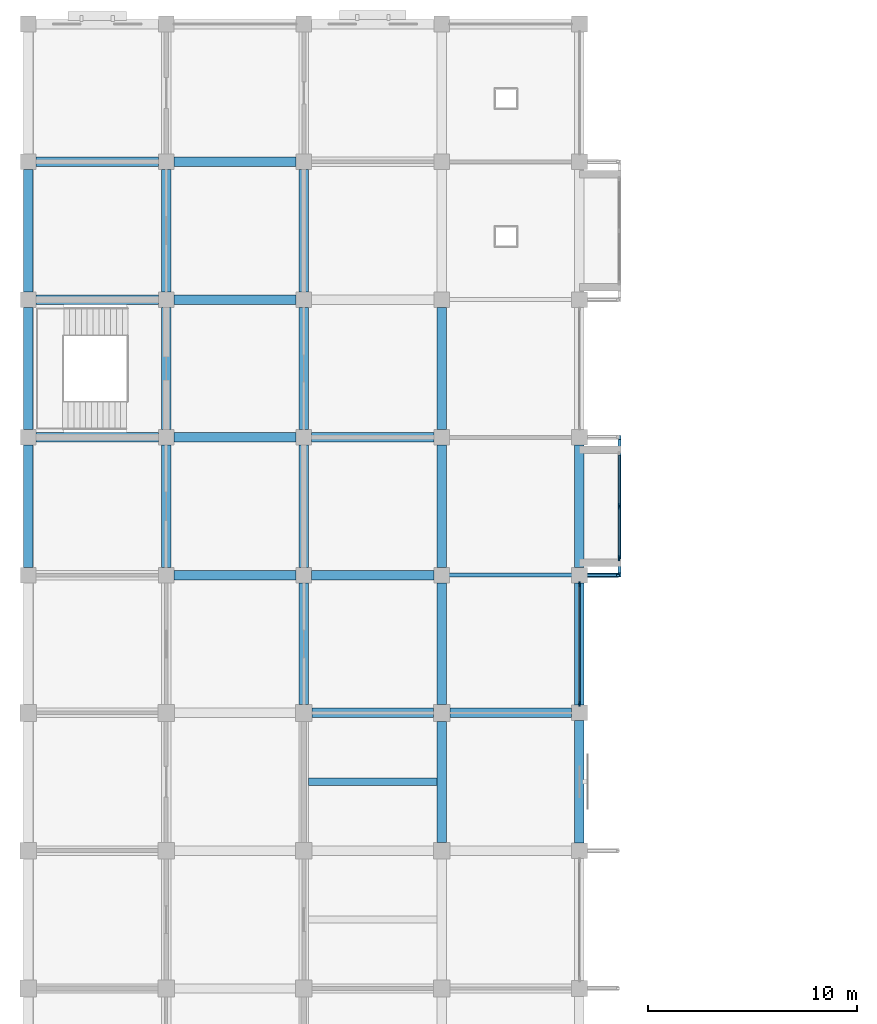
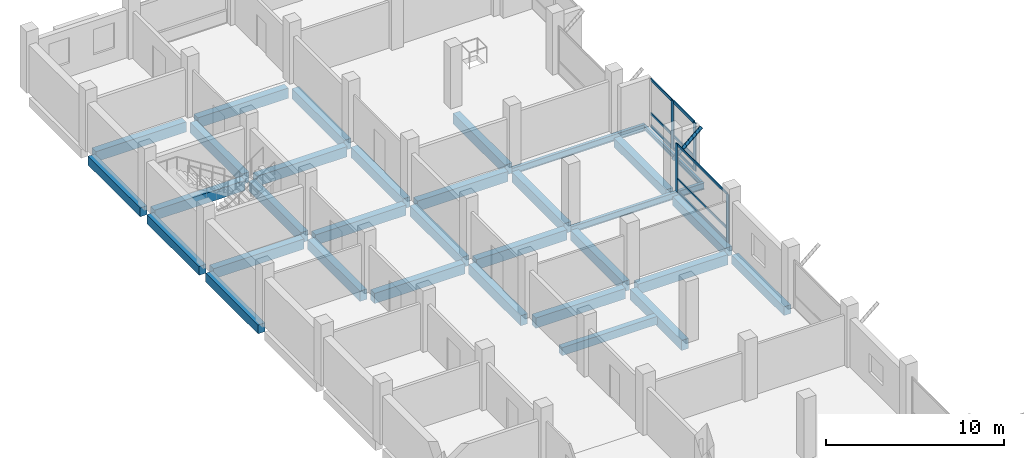
# One storey, part 5 of 18: 32 beams, 14 members, 2 elements without a shape of their own.
"""IFC4 building model written with IfcOpenShell, lengths in metres."""

from ifc_helpers import new_model, si_unit, direction, frame, origin, origin_2d, place, context, subcontext, project, spatial, rectangle, hollow_circle, i_section, extrude, material, material_profile, profile_set, type_object, element, aggregate, save


model = new_model("IFC4")

# Units and contexts
model_context = context("Model", 3, precision=1e-05, world=origin(), true_north=direction((0.0, 1.0)))
body_context = subcontext(model_context, "Body", "Model", "MODEL_VIEW")
ifc_project = project(units=[si_unit("LENGTHUNIT", "METRE"), si_unit("AREAUNIT", "SQUARE_METRE"), si_unit("VOLUMEUNIT", "CUBIC_METRE"), si_unit("PLANEANGLEUNIT", "RADIAN"), si_unit("MASSUNIT", "GRAM", prefix="KILO")], contexts=[model_context])

# Site, building, storey
site_placement = place(None, origin())
site = spatial("IfcSite", under=ifc_project, at=site_placement, CompositionType="ELEMENT")
building_placement = place(site_placement, origin())
building = spatial("IfcBuilding", under=site, at=building_placement, Name="Rusizi Kubbe Research Institute", CompositionType="ELEMENT")
storey_placement = place(building_placement, frame((0.0, 0.0, 22.800048828125)))
storey = spatial("IfcBuildingStorey", under=building, at=storey_placement, Name="L05", CompositionType="ELEMENT", Elevation=22.800048828125)

# Beams
ifc_material_1 = material(Name="Steel S355", Category="steel")
ifc_material_profile_1 = material_profile(ifc_material_1, i_section(OverallWidth=0.14990234375, OverallDepth=0.300048828125, WebThickness=0.007080078125, FlangeThickness=0.0107421875, at=origin_2d()), Name="IPE 300")
ifc_profile_set_1 = profile_set([ifc_material_profile_1], Name="Steel S355")
beam_type_1 = type_object("IfcBeamType", Name="BM-IPE300", PredefinedType="BEAM", material=ifc_profile_set_1)
beam_1_placement = place(storey_placement, frame((28.324951171875, 59.4951171875, -0.489990234375), z_axis=(0.0, 1.0, 0.0), x_axis=(-1.0, 0.0, 0.0)))
element("IfcBeam", 1, at=beam_1_placement, inside=storey, type_object=beam_type_1, Name="Cumba Edge Tie Beam L05-1", PredefinedType="BEAM", context=body_context, shape_type="SweptSolid", body=[
    extrude(i_section(OverallWidth=0.14990234375, OverallDepth=0.300048828125, WebThickness=0.007080078125, FlangeThickness=0.0107421875, at=origin_2d()), origin(), (0.0, 0.0, 1.0), 6.409912109375),
])
ifc_material_2 = material(Name="Steel S355", Category="steel")
ifc_material_profile_2 = material_profile(ifc_material_2, i_section(OverallWidth=0.18994140625, OverallDepth=0.449951171875, WebThickness=0.009521484375, FlangeThickness=0.0146484375, at=origin_2d()), Name="IPE 450")
ifc_profile_set_2 = profile_set([ifc_material_profile_2], Name="Steel S355")
beam_type_2 = type_object("IfcBeamType", Name="BM-IPE450", PredefinedType="BEAM", material=ifc_profile_set_2)
for number, where, z_axis, x_axis, name in (
    (2, (19.800048828125, 59.39990234375, -0.56494140625), (1.0, 0.0, 0.0), (0.0, 1.0, 0.0), "Cumba Back-Spanned Cantilever Beam L05-1S"),
    (3, (19.800048828125, 66.0, -0.56494140625), (1.0, 0.0, 0.0), (0.0, 1.0, 0.0), "Cumba Back-Spanned Cantilever Beam L05-1N"),
):
    element("IfcBeam", number, at=place(storey_placement, frame(where, z_axis=z_axis, x_axis=x_axis)), inside=storey, type_object=beam_type_2, Name=name, PredefinedType="BEAM", context=body_context, shape_type="SweptSolid", body=[
        extrude(i_section(OverallWidth=0.18994140625, OverallDepth=0.449951171875, WebThickness=0.009521484375, FlangeThickness=0.0146484375, at=origin_2d()), origin(), (0.0, 0.0, 1.0), 8.599853515625),
    ])
ifc_material_3 = material(Name="Concrete C40/50", Category="concrete")
ifc_material_profile_3 = material_profile(ifc_material_3, rectangle(XDim=0.35009765625, YDim=0.550048828125, at=origin_2d()), Name="RC350x550")
ifc_profile_set_3 = profile_set([ifc_material_profile_3], Name="Concrete C40/50")
beam_type_3 = type_object("IfcBeamType", Name="BM-RC350x550", PredefinedType="JOIST", material=ifc_profile_set_3)
beam_2_placement = place(storey_placement, frame((13.425048828125, 49.5, -0.614990234375), z_axis=(1.0, 0.0, 0.0), x_axis=(0.0, 1.0, 0.0)))
element("IfcBeam", 4, at=beam_2_placement, inside=storey, type_object=beam_type_3, Name="Lab Stiffener Joist L05 (2,7)", PredefinedType="JOIST", context=body_context, shape_type="SweptSolid", body=[
    extrude(rectangle(XDim=0.35009765625, YDim=0.550048828125, at=origin_2d()), origin(), (0.0, 0.0, 1.0), 6.14990234375),
])
ifc_material_4 = material(Name="Concrete C40/50", Category="concrete")
ifc_material_profile_4 = material_profile(ifc_material_4, rectangle(XDim=0.449951171875, YDim=0.60009765625, at=origin_2d()), Name="RC450x600")
ifc_profile_set_4 = profile_set([ifc_material_profile_4], Name="Concrete C40/50")
beam_type_4 = type_object("IfcBeamType", Name="BM-RC450x600", PredefinedType="SPANDREL", material=ifc_profile_set_4)
for number, where, z_axis, x_axis, name in (
    (5, (0.0, 59.77490234375, -0.64013671875), (0.0, 1.0, 0.0), (-1.0, 0.0, 0.0), "Grid Beam V L05 (0,9)"),
    (6, (0.0, 66.375, -0.64013671875), (0.0, 1.0, 0.0), (-1.0, 0.0, 0.0), "Grid Beam V L05 (0,10)"),
):
    element("IfcBeam", number, at=place(storey_placement, frame(where, z_axis=z_axis, x_axis=x_axis)), inside=storey, type_object=beam_type_4, Name=name, PredefinedType="SPANDREL", context=body_context, shape_type="SweptSolid", body=[
        extrude(rectangle(XDim=0.449951171875, YDim=0.60009765625, at=origin_2d()), origin(), (0.0, 0.0, 1.0), 5.85009765625),
    ])
beam_3_placement = place(storey_placement, frame((0.0, 72.97509765625, -0.64013671875), z_axis=(0.0, 1.0, 0.0), x_axis=(-1.0, 0.0, 0.0)))
element("IfcBeam", 7, at=beam_3_placement, inside=storey, type_object=beam_type_4, Name="Grid Beam V L05 (0,11)", PredefinedType="SPANDREL", context=body_context, shape_type="SweptSolid", body=[
    extrude(rectangle(XDim=0.449951171875, YDim=0.60009765625, at=origin_2d()), origin(), (0.0, 0.0, 1.0), 5.849853515625),
])
beam_4_placement = place(storey_placement, frame((26.39990234375, 46.574951171875, -0.64013671875), z_axis=(0.0, 1.0, 0.0), x_axis=(-1.0, 0.0, 0.0)))
element("IfcBeam", 8, at=beam_4_placement, inside=storey, type_object=beam_type_4, Name="Grid Beam V L05 (4,7)", PredefinedType="SPANDREL", context=body_context, shape_type="SweptSolid", body=[
    extrude(rectangle(XDim=0.449951171875, YDim=0.60009765625, at=origin_2d()), origin(), (0.0, 0.0, 1.0), 5.85009765625),
])
beam_5_placement = place(storey_placement, frame((26.39990234375, 53.175048828125, -0.64013671875), z_axis=(0.0, 1.0, 0.0), x_axis=(-1.0, 0.0, 0.0)))
element("IfcBeam", 9, at=beam_5_placement, inside=storey, type_object=beam_type_4, Name="Grid Beam V L05 (4,8)", PredefinedType="SPANDREL", context=body_context, shape_type="SweptSolid", body=[
    extrude(rectangle(XDim=0.449951171875, YDim=0.60009765625, at=origin_2d()), origin(), (0.0, 0.0, 1.0), 5.849853515625),
])
beam_6_placement = place(storey_placement, frame((26.39990234375, 59.77490234375, -0.64013671875), z_axis=(0.0, 1.0, 0.0), x_axis=(-1.0, 0.0, 0.0)))
element("IfcBeam", 10, at=beam_6_placement, inside=storey, type_object=beam_type_4, Name="Grid Beam V L05 (4,9)", PredefinedType="SPANDREL", context=body_context, shape_type="SweptSolid", body=[
    extrude(rectangle(XDim=0.449951171875, YDim=0.60009765625, at=origin_2d()), origin(), (0.0, 0.0, 1.0), 5.85009765625),
])
ifc_material_5 = material(Name="Concrete C40/50", Category="concrete")
ifc_material_profile_5 = material_profile(ifc_material_5, rectangle(XDim=0.449951171875, YDim=0.699951171875, at=origin_2d()), Name="RC450x700B")
ifc_profile_set_5 = profile_set([ifc_material_profile_5], Name="Concrete C40/50")
beam_type_5 = type_object("IfcBeamType", Name="BM-RC450x700", PredefinedType="BEAM", material=ifc_profile_set_5)
for number, where, z_axis, x_axis, name in (
    (11, (0.375, 66.0, -0.68994140625), (1.0, 0.0, 0.0), (0.0, 1.0, 0.0), "Grid Beam H L05 (0,10)"),
    (12, (0.375, 72.60009765625, -0.68994140625), (1.0, 0.0, 0.0), (0.0, 1.0, 0.0), "Grid Beam H L05 (0,11)"),
    (13, (0.375, 79.199951171875, -0.68994140625), (1.0, 0.0, 0.0), (0.0, 1.0, 0.0), "Grid Beam H L05 (0,12)"),
):
    element("IfcBeam", number, at=place(storey_placement, frame(where, z_axis=z_axis, x_axis=x_axis)), inside=storey, type_object=beam_type_5, Name=name, PredefinedType="BEAM", context=body_context, shape_type="SweptSolid", body=[
        extrude(rectangle(XDim=0.449951171875, YDim=0.699951171875, at=origin_2d()), origin(), (0.0, 0.0, 1.0), 5.85009765625),
    ])
for number, where, z_axis, x_axis, name in (
    (14, (6.97509765625, 59.39990234375, -0.68994140625), (1.0, 0.0, 0.0), (0.0, 1.0, 0.0), "Grid Beam H L05 (1,9)"),
    (15, (6.97509765625, 66.0, -0.68994140625), (1.0, 0.0, 0.0), (0.0, 1.0, 0.0), "Grid Beam H L05 (1,10)"),
    (16, (6.97509765625, 72.60009765625, -0.68994140625), (1.0, 0.0, 0.0), (0.0, 1.0, 0.0), "Grid Beam H L05 (1,11)"),
    (17, (6.97509765625, 79.199951171875, -0.68994140625), (1.0, 0.0, 0.0), (0.0, 1.0, 0.0), "Grid Beam H L05 (1,12)"),
):
    element("IfcBeam", number, at=place(storey_placement, frame(where, z_axis=z_axis, x_axis=x_axis)), inside=storey, type_object=beam_type_5, Name=name, PredefinedType="BEAM", context=body_context, shape_type="SweptSolid", body=[
        extrude(rectangle(XDim=0.449951171875, YDim=0.699951171875, at=origin_2d()), origin(), (0.0, 0.0, 1.0), 5.849853515625),
    ])
beam_7_placement = place(storey_placement, frame((13.60009765625, 52.800048828125, -0.68994140625), z_axis=(1.0, 0.0, 0.0), x_axis=(0.0, 1.0, 0.0)))
element("IfcBeam", 18, at=beam_7_placement, inside=storey, type_object=beam_type_5, Name="Grid Beam H L05 (2,8)", PredefinedType="BEAM", context=body_context, shape_type="SweptSolid", body=[
    extrude(rectangle(XDim=0.449951171875, YDim=0.699951171875, at=origin_2d()), origin(), (0.0, 0.0, 1.0), 5.7998046875),
])
for number, where, z_axis, x_axis, name in (
    (19, (13.574951171875, 59.39990234375, -0.68994140625), (1.0, 0.0, 0.0), (0.0, 1.0, 0.0), "Grid Beam H L05 (2,9)"),
    (20, (13.574951171875, 66.0, -0.68994140625), (1.0, 0.0, 0.0), (0.0, 1.0, 0.0), "Grid Beam H L05 (2,10)"),
):
    element("IfcBeam", number, at=place(storey_placement, frame(where, z_axis=z_axis, x_axis=x_axis)), inside=storey, type_object=beam_type_5, Name=name, PredefinedType="BEAM", context=body_context, shape_type="SweptSolid", body=[
        extrude(rectangle(XDim=0.449951171875, YDim=0.699951171875, at=origin_2d()), origin(), (0.0, 0.0, 1.0), 5.85009765625),
    ])
beam_8_placement = place(storey_placement, frame((20.199951171875, 52.800048828125, -0.68994140625), z_axis=(1.0, 0.0, 0.0), x_axis=(0.0, 1.0, 0.0)))
element("IfcBeam", 21, at=beam_8_placement, inside=storey, type_object=beam_type_5, Name="Grid Beam H L05 (3,8)", PredefinedType="BEAM", context=body_context, shape_type="SweptSolid", body=[
    extrude(rectangle(XDim=0.449951171875, YDim=0.699951171875, at=origin_2d()), origin(), (0.0, 0.0, 1.0), 5.824951171875),
])
for number, where, z_axis, x_axis, name in (
    (22, (6.60009765625, 59.77490234375, -0.68994140625), (0.0, 1.0, 0.0), (-1.0, 0.0, 0.0), "Grid Beam V L05 (1,9)"),
    (23, (6.60009765625, 66.375, -0.68994140625), (0.0, 1.0, 0.0), (-1.0, 0.0, 0.0), "Grid Beam V L05 (1,10)"),
):
    element("IfcBeam", number, at=place(storey_placement, frame(where, z_axis=z_axis, x_axis=x_axis)), inside=storey, type_object=beam_type_5, Name=name, PredefinedType="BEAM", context=body_context, shape_type="SweptSolid", body=[
        extrude(rectangle(XDim=0.449951171875, YDim=0.699951171875, at=origin_2d()), origin(), (0.0, 0.0, 1.0), 5.85009765625),
    ])
beam_9_placement = place(storey_placement, frame((6.60009765625, 72.97509765625, -0.68994140625), z_axis=(0.0, 1.0, 0.0), x_axis=(-1.0, 0.0, 0.0)))
element("IfcBeam", 24, at=beam_9_placement, inside=storey, type_object=beam_type_5, Name="Grid Beam V L05 (1,11)", PredefinedType="BEAM", context=body_context, shape_type="SweptSolid", body=[
    extrude(rectangle(XDim=0.449951171875, YDim=0.699951171875, at=origin_2d()), origin(), (0.0, 0.0, 1.0), 5.849853515625),
])
beam_10_placement = place(storey_placement, frame((13.199951171875, 53.199951171875, -0.68994140625), z_axis=(0.0, 1.0, 0.0), x_axis=(-1.0, 0.0, 0.0)))
element("IfcBeam", 25, at=beam_10_placement, inside=storey, type_object=beam_type_5, Name="Grid Beam V L05 (2,8)", PredefinedType="BEAM", context=body_context, shape_type="SweptSolid", body=[
    extrude(rectangle(XDim=0.449951171875, YDim=0.699951171875, at=origin_2d()), origin(), (0.0, 0.0, 1.0), 5.824951171875),
])
for number, where, z_axis, x_axis, name in (
    (26, (13.199951171875, 59.77490234375, -0.68994140625), (0.0, 1.0, 0.0), (-1.0, 0.0, 0.0), "Grid Beam V L05 (2,9)"),
    (27, (13.199951171875, 66.375, -0.68994140625), (0.0, 1.0, 0.0), (-1.0, 0.0, 0.0), "Grid Beam V L05 (2,10)"),
):
    element("IfcBeam", number, at=place(storey_placement, frame(where, z_axis=z_axis, x_axis=x_axis)), inside=storey, type_object=beam_type_5, Name=name, PredefinedType="BEAM", context=body_context, shape_type="SweptSolid", body=[
        extrude(rectangle(XDim=0.449951171875, YDim=0.699951171875, at=origin_2d()), origin(), (0.0, 0.0, 1.0), 5.85009765625),
    ])
beam_11_placement = place(storey_placement, frame((13.199951171875, 72.97509765625, -0.68994140625), z_axis=(0.0, 1.0, 0.0), x_axis=(-1.0, 0.0, 0.0)))
element("IfcBeam", 28, at=beam_11_placement, inside=storey, type_object=beam_type_5, Name="Grid Beam V L05 (2,11)", PredefinedType="BEAM", context=body_context, shape_type="SweptSolid", body=[
    extrude(rectangle(XDim=0.449951171875, YDim=0.699951171875, at=origin_2d()), origin(), (0.0, 0.0, 1.0), 5.849853515625),
])
beam_12_placement = place(storey_placement, frame((19.800048828125, 46.60009765625, -0.68994140625), z_axis=(0.0, 1.0, 0.0), x_axis=(-1.0, 0.0, 0.0)))
element("IfcBeam", 29, at=beam_12_placement, inside=storey, type_object=beam_type_5, Name="Grid Beam V L05 (3,7)", PredefinedType="BEAM", context=body_context, shape_type="SweptSolid", body=[
    extrude(rectangle(XDim=0.449951171875, YDim=0.699951171875, at=origin_2d()), origin(), (0.0, 0.0, 1.0), 5.7998046875),
])
beam_13_placement = place(storey_placement, frame((19.800048828125, 53.199951171875, -0.68994140625), z_axis=(0.0, 1.0, 0.0), x_axis=(-1.0, 0.0, 0.0)))
element("IfcBeam", 30, at=beam_13_placement, inside=storey, type_object=beam_type_5, Name="Grid Beam V L05 (3,8)", PredefinedType="BEAM", context=body_context, shape_type="SweptSolid", body=[
    extrude(rectangle(XDim=0.449951171875, YDim=0.699951171875, at=origin_2d()), origin(), (0.0, 0.0, 1.0), 5.824951171875),
])
for number, where, z_axis, x_axis, name in (
    (31, (19.800048828125, 59.77490234375, -0.68994140625), (0.0, 1.0, 0.0), (-1.0, 0.0, 0.0), "Grid Beam V L05 (3,9)"),
    (32, (19.800048828125, 66.375, -0.68994140625), (0.0, 1.0, 0.0), (-1.0, 0.0, 0.0), "Grid Beam V L05 (3,10)"),
):
    element("IfcBeam", number, at=place(storey_placement, frame(where, z_axis=z_axis, x_axis=x_axis)), inside=storey, type_object=beam_type_5, Name=name, PredefinedType="BEAM", context=body_context, shape_type="SweptSolid", body=[
        extrude(rectangle(XDim=0.449951171875, YDim=0.699951171875, at=origin_2d()), origin(), (0.0, 0.0, 1.0), 5.85009765625),
    ])

# Member
ifc_material_6 = material(Name="Steel S355", Category="steel")
ifc_material_profile_6 = material_profile(ifc_material_6, hollow_circle(Radius=0.109619140625, WallThickness=0.008056640625, at=origin_2d()), Name="CHS 219.1x8.0")
ifc_profile_set_6 = profile_set([ifc_material_profile_6], Name="Steel S355")
member_type_1 = type_object("IfcMemberType", Name="MB-CHS219", PredefinedType="BRACE", material=ifc_profile_set_6)
member_1_placement = place(storey_placement, frame((26.39990234375, 59.39990234375, 1.869873046875), z_axis=(0.756360503059, 0.0, 0.654155019405), x_axis=(0.0, 1.0, 0.0)))
element("IfcMember", 33, at=member_1_placement, inside=storey, type_object=member_type_1, Name="Cumba Diagonal Corbel Brace L06-2S", PredefinedType="BRACE", context=body_context, shape_type="SweptSolid", body=[
    extrude(hollow_circle(Radius=0.109619140625, WallThickness=0.008056640625, at=origin_2d()), origin(), (0.0, 0.0, 1.0), 2.446044921875),
])

# Curtain wall, members
ifc_material_7 = material(Name="Thermally Broken Aluminium and Low-E Glazing", Category="aluminium")
curtain_wall_type_1 = type_object("IfcCurtainWallType", Name="CW-09", PredefinedType="NOTDEFINED", material=ifc_material_7)
curtain_wall_1_placement = place(storey_placement, origin())
curtain_wall_1 = element("IfcCurtainWall", 34, at=curtain_wall_1_placement, inside=storey, type_object=curtain_wall_type_1, Name="Unitised Facade Curtain Wall CW-L05-V-04-08", PredefinedType="NOTDEFINED")
ifc_material_8 = material(Name="Aluminium Alloy 6063-T6", Category="aluminium")
ifc_material_profile_7 = material_profile(ifc_material_8, rectangle(XDim=0.074951171875, YDim=0.25, at=origin_2d()), Name="ALU-M 75x250")
ifc_profile_set_7 = profile_set([ifc_material_profile_7], Name="Aluminium Alloy 6063-T6")
member_type_2 = type_object("IfcMemberType", Name="ML-05", PredefinedType="MULLION", material=ifc_profile_set_7)
member_2_placement = place(storey_placement, frame((26.39990234375, 53.242431640625, 0.0), z_axis=(0.0, 0.0, 1.0), x_axis=(-1.0, 0.0, 0.0)))
member_2 = element("IfcMember", 35, at=member_2_placement, type_object=member_type_2, Name="CW-09 mullion 1", PredefinedType="MULLION", context=body_context, shape_type="SweptSolid", body=[
    extrude(rectangle(XDim=0.074951171875, YDim=0.25, at=origin_2d()), origin(), (0.0, 0.0, 1.0), 3.27001953125),
])
member_3_placement = place(storey_placement, frame((26.39990234375, 58.95751953125, 0.0), z_axis=(0.0, 0.0, 1.0), x_axis=(-1.0, 0.0, 0.0)))
member_3 = element("IfcMember", 36, at=member_3_placement, type_object=member_type_2, Name="CW-09 mullion 2", PredefinedType="MULLION", context=body_context, shape_type="SweptSolid", body=[
    extrude(rectangle(XDim=0.074951171875, YDim=0.25, at=origin_2d()), origin(), (0.0, 0.0, 1.0), 3.27001953125),
])

ifc_material_9 = material(Name="Thermally Broken Aluminium and Low-E Glazing", Category="aluminium")
curtain_wall_type_2 = type_object("IfcCurtainWallType", Name="CW-02", PredefinedType="NOTDEFINED", material=ifc_material_9)
curtain_wall_2_placement = place(storey_placement, origin())
curtain_wall_2 = element("IfcCurtainWall", 37, at=curtain_wall_2_placement, inside=storey, type_object=curtain_wall_type_2, Name="Cumba Glazed Curtain Wall CW-CUMBA-L05-059", PredefinedType="NOTDEFINED")
ifc_material_10 = material(Name="Aluminium Alloy 6063-T6", Category="aluminium")
ifc_material_profile_8 = material_profile(ifc_material_10, rectangle(XDim=0.080078125, YDim=0.280029296875, at=origin_2d()), Name="ALU-M 80x280")
ifc_profile_set_8 = profile_set([ifc_material_profile_8], Name="Aluminium Alloy 6063-T6")
member_type_3 = type_object("IfcMemberType", Name="ML-06", PredefinedType="MULLION", material=ifc_profile_set_8)
member_4_placement = place(storey_placement, frame((28.300048828125, 60.222412109375, 0.0), z_axis=(0.0, 0.0, 1.0), x_axis=(-1.0, 0.0, 0.0)))
member_4 = element("IfcMember", 38, at=member_4_placement, type_object=member_type_3, Name="CW-02 mullion 1", PredefinedType="MULLION", context=body_context, shape_type="SweptSolid", body=[
    extrude(rectangle(XDim=0.080078125, YDim=0.280029296875, at=origin_2d()), origin(), (0.0, 0.0, 1.0), 3.27001953125),
])
member_5_placement = place(storey_placement, frame((28.300048828125, 62.699951171875, 0.0), z_axis=(0.0, 0.0, 1.0), x_axis=(-1.0, 0.0, 0.0)))
member_5 = element("IfcMember", 39, at=member_5_placement, type_object=member_type_3, Name="CW-02 mullion 2", PredefinedType="MULLION", context=body_context, shape_type="SweptSolid", body=[
    extrude(rectangle(XDim=0.080078125, YDim=0.280029296875, at=origin_2d()), origin(), (0.0, 0.0, 1.0), 3.27001953125),
])

# Member
ifc_material_11 = material(Name="Aluminium Alloy 6063-T6", Category="aluminium")
ifc_material_profile_9 = material_profile(ifc_material_11, rectangle(XDim=0.06494140625, YDim=0.159912109375, at=origin_2d()), Name="ALU-T 65x160")
ifc_profile_set_9 = profile_set([ifc_material_profile_9], Name="Aluminium Alloy 6063-T6")
member_type_4 = type_object("IfcMemberType", Name="TR-03", PredefinedType="USERDEFINED", material=ifc_profile_set_9)
member_6_placement = place(storey_placement, frame((26.39990234375, 53.280029296875, 0.032470703125), z_axis=(0.0, 1.0, 0.0), x_axis=(-1.0, 0.0, 0.0)))
member_6 = element("IfcMember", 40, at=member_6_placement, type_object=member_type_4, Name="CW-09 transom 1.1", ObjectType="TRANSOM", PredefinedType="USERDEFINED", context=body_context, shape_type="SweptSolid", body=[
    extrude(rectangle(XDim=0.06494140625, YDim=0.159912109375, at=origin_2d()), origin(), (0.0, 0.0, 1.0), 5.639892578125),
])

member_7_placement = place(storey_placement, frame((26.39990234375, 53.280029296875, 0.89990234375), z_axis=(0.0, 1.0, 0.0), x_axis=(-1.0, 0.0, 0.0)))
member_7 = element("IfcMember", 41, at=member_7_placement, type_object=member_type_4, Name="CW-09 transom 1.2", ObjectType="TRANSOM", PredefinedType="USERDEFINED", context=body_context, shape_type="SweptSolid", body=[
    extrude(rectangle(XDim=0.06494140625, YDim=0.159912109375, at=origin_2d()), origin(), (0.0, 0.0, 1.0), 5.639892578125),
])

member_8_placement = place(storey_placement, frame((26.39990234375, 53.280029296875, 3.237548828125), z_axis=(0.0, 1.0, 0.0), x_axis=(-1.0, 0.0, 0.0)))
member_8 = element("IfcMember", 42, at=member_8_placement, type_object=member_type_4, Name="CW-09 transom 1.3", ObjectType="TRANSOM", PredefinedType="USERDEFINED", context=body_context, shape_type="SweptSolid", body=[
    extrude(rectangle(XDim=0.06494140625, YDim=0.159912109375, at=origin_2d()), origin(), (0.0, 0.0, 1.0), 5.639892578125),
])

aggregate(curtain_wall_1, [member_2, member_3, member_6, member_7, member_8])

ifc_material_12 = material(Name="Aluminium Alloy 6063-T6", Category="aluminium")
ifc_material_profile_10 = material_profile(ifc_material_12, rectangle(XDim=0.070068359375, YDim=0.18994140625, at=origin_2d()), Name="ALU-T 70x190")
ifc_profile_set_10 = profile_set([ifc_material_profile_10], Name="Aluminium Alloy 6063-T6")
member_type_5 = type_object("IfcMemberType", Name="TR-04", PredefinedType="USERDEFINED", material=ifc_profile_set_10)
member_9_placement = place(storey_placement, frame((28.300048828125, 60.262451171875, 0.034912109375), z_axis=(0.0, 1.0, 0.0), x_axis=(-1.0, 0.0, 0.0)))
member_9 = element("IfcMember", 43, at=member_9_placement, type_object=member_type_5, Name="CW-02 transom 1.1", ObjectType="TRANSOM", PredefinedType="USERDEFINED", context=body_context, shape_type="SweptSolid", body=[
    extrude(rectangle(XDim=0.070068359375, YDim=0.18994140625, at=origin_2d()), origin(), (0.0, 0.0, 1.0), 2.3974609375),
])

member_10_placement = place(storey_placement, frame((28.300048828125, 60.262451171875, 0.89990234375), z_axis=(0.0, 1.0, 0.0), x_axis=(-1.0, 0.0, 0.0)))
member_10 = element("IfcMember", 44, at=member_10_placement, type_object=member_type_5, Name="CW-02 transom 1.2", ObjectType="TRANSOM", PredefinedType="USERDEFINED", context=body_context, shape_type="SweptSolid", body=[
    extrude(rectangle(XDim=0.070068359375, YDim=0.18994140625, at=origin_2d()), origin(), (0.0, 0.0, 1.0), 2.3974609375),
])

member_11_placement = place(storey_placement, frame((28.300048828125, 60.262451171875, 3.23486328125), z_axis=(0.0, 1.0, 0.0), x_axis=(-1.0, 0.0, 0.0)))
member_11 = element("IfcMember", 45, at=member_11_placement, type_object=member_type_5, Name="CW-02 transom 1.3", ObjectType="TRANSOM", PredefinedType="USERDEFINED", context=body_context, shape_type="SweptSolid", body=[
    extrude(rectangle(XDim=0.070068359375, YDim=0.18994140625, at=origin_2d()), origin(), (0.0, 0.0, 1.0), 2.3974609375),
])

member_12_placement = place(storey_placement, frame((28.300048828125, 62.739990234375, 0.034912109375), z_axis=(0.0, 1.0, 0.0), x_axis=(-1.0, 0.0, 0.0)))
member_12 = element("IfcMember", 46, at=member_12_placement, type_object=member_type_5, Name="CW-02 transom 2.1", ObjectType="TRANSOM", PredefinedType="USERDEFINED", context=body_context, shape_type="SweptSolid", body=[
    extrude(rectangle(XDim=0.070068359375, YDim=0.18994140625, at=origin_2d()), origin(), (0.0, 0.0, 1.0), 2.3974609375),
])

member_13_placement = place(storey_placement, frame((28.300048828125, 62.739990234375, 0.89990234375), z_axis=(0.0, 1.0, 0.0), x_axis=(-1.0, 0.0, 0.0)))
member_13 = element("IfcMember", 47, at=member_13_placement, type_object=member_type_5, Name="CW-02 transom 2.2", ObjectType="TRANSOM", PredefinedType="USERDEFINED", context=body_context, shape_type="SweptSolid", body=[
    extrude(rectangle(XDim=0.070068359375, YDim=0.18994140625, at=origin_2d()), origin(), (0.0, 0.0, 1.0), 2.3974609375),
])

member_14_placement = place(storey_placement, frame((28.300048828125, 62.739990234375, 3.23486328125), z_axis=(0.0, 1.0, 0.0), x_axis=(-1.0, 0.0, 0.0)))
member_14 = element("IfcMember", 48, at=member_14_placement, type_object=member_type_5, Name="CW-02 transom 2.3", ObjectType="TRANSOM", PredefinedType="USERDEFINED", context=body_context, shape_type="SweptSolid", body=[
    extrude(rectangle(XDim=0.070068359375, YDim=0.18994140625, at=origin_2d()), origin(), (0.0, 0.0, 1.0), 2.3974609375),
])

aggregate(curtain_wall_2, [member_4, member_5, member_9, member_10, member_11, member_12, member_13, member_14])

save(model, "model.ifc")
